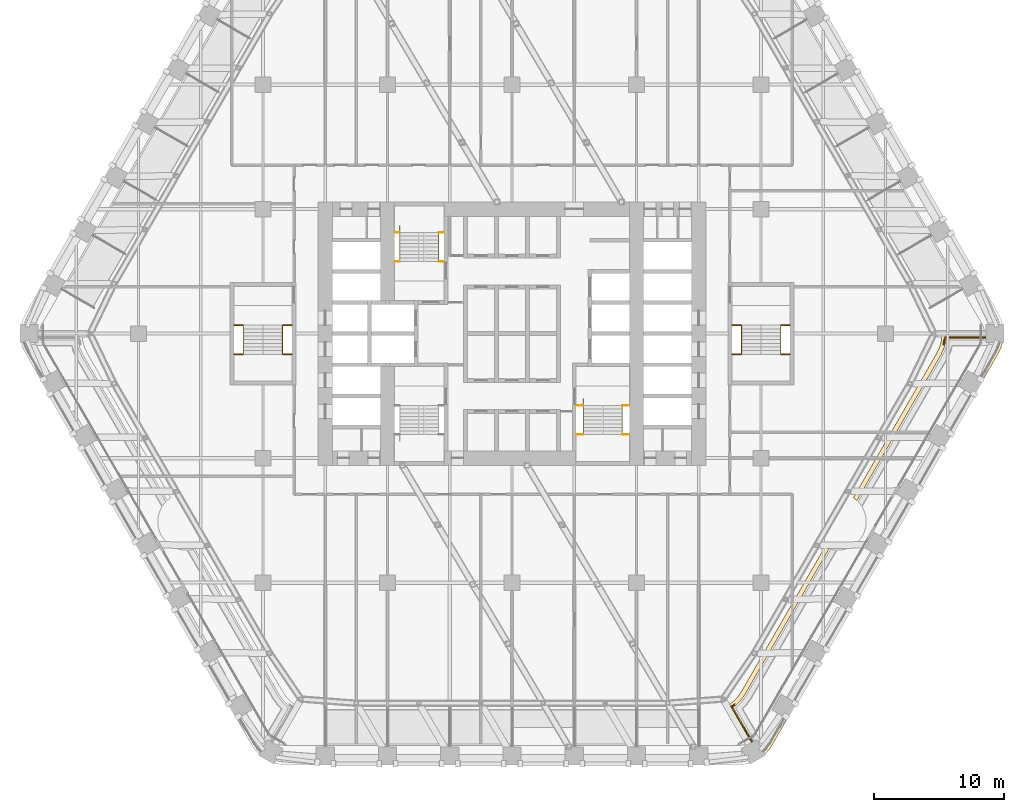
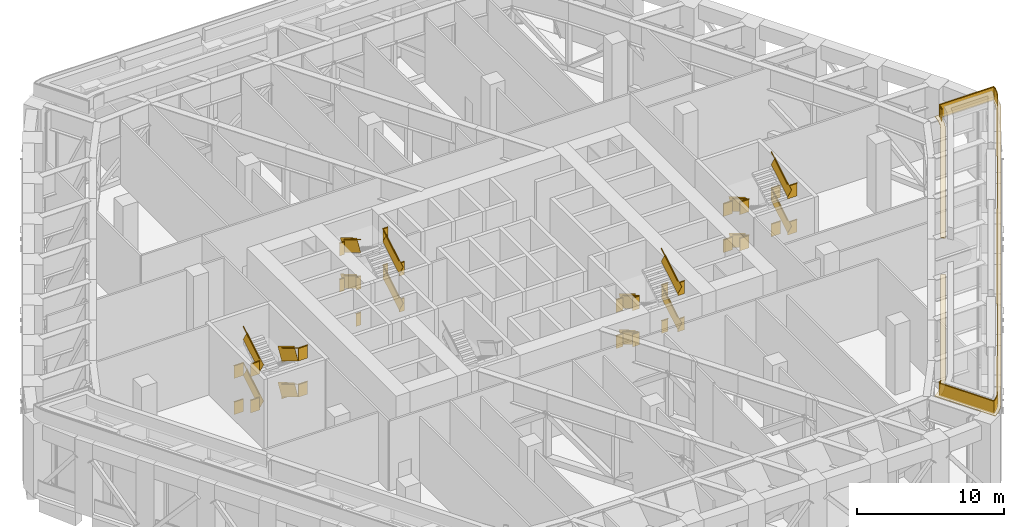
# One storey, part 33 of 35: 9 railings, 1 covering.
"""IFC4 building model written with IfcOpenShell, lengths in metres."""

from ifc_helpers import new_model, si_unit, direction, frame, frame_2d, origin, origin_2d, place, context, subcontext, project, spatial, polyline, rectangle, outline, extrude, material, layer, layer_set, type_object, element, save


model = new_model("IFC4")

# Units and contexts
model_context = context("Model", 3, precision=1e-05, world=origin(), true_north=direction((0.0, 1.0)))
body_context = subcontext(model_context, "Body", "Model", "MODEL_VIEW")
ifc_project = project(units=[si_unit("LENGTHUNIT", "METRE"), si_unit("AREAUNIT", "SQUARE_METRE"), si_unit("VOLUMEUNIT", "CUBIC_METRE"), si_unit("PLANEANGLEUNIT", "RADIAN"), si_unit("MASSUNIT", "GRAM", prefix="KILO")], contexts=[model_context])

# Site, building, storey
site_placement = place(None, origin())
site = spatial("IfcSite", under=ifc_project, at=site_placement, CompositionType="ELEMENT")
building_placement = place(site_placement, origin())
building = spatial("IfcBuilding", under=site, at=building_placement, Name="Kolab Exchange Tower", CompositionType="ELEMENT")
storey_placement = place(building_placement, frame((0.0, 0.0, 71.89990234375)))
storey = spatial("IfcBuildingStorey", under=building, at=storey_placement, Name="L13", CompositionType="ELEMENT", Elevation=71.89990234375)

# Railings
ifc_material_1 = material(Name="Stainless steel 316", Category="steel")
railing_type_1 = type_object("IfcRailingType", Name="GUARD 1100", PredefinedType="GUARDRAIL", material=ifc_material_1)
railing_1_placement = place(storey_placement, frame((-9.050048828125, 5.550048828125, 0.0)))
element("IfcRailing", 1, at=railing_1_placement, inside=storey, type_object=railing_type_1, Name="Guard ST1", PredefinedType="GUARDRAIL", context=body_context, shape_type="SweptSolid", body=[
    extrude(rectangle(XDim=0.05, YDim=0.05, at=origin_2d()), frame((0.0, 0.0, 1.0751953125), z_axis=(1.0, 0.0, 0.0), x_axis=(0.0, 1.0, 0.0)), (0.0, 0.0, 1.0), 0.39013671875),
    extrude(rectangle(XDim=0.012, YDim=1.05009765625, at=frame_2d((0.0, 0.525146484375))), frame((0.0, 0.0, 0.0), z_axis=(1.0, 0.0, 0.0), x_axis=(0.0, 1.0, 0.0)), (0.0, 0.0, 1.0), 0.39013671875),
    extrude(rectangle(XDim=0.05, YDim=0.05, at=origin_2d()), frame((3.41015625, 0.0, 1.0751953125), z_axis=(1.0, 0.0, 0.0), x_axis=(0.0, 1.0, 0.0)), (0.0, 0.0, 1.0), 0.389892578125),
    extrude(rectangle(XDim=0.012, YDim=1.05009765625, at=frame_2d((0.0, 0.525146484375))), frame((3.41015625, 0.0, 0.0), z_axis=(1.0, 0.0, 0.0), x_axis=(0.0, 1.0, 0.0)), (0.0, 0.0, 1.0), 0.389892578125),
    extrude(rectangle(XDim=0.05, YDim=0.05, at=origin_2d()), frame((0.0, 2.239990234375, 2.5751953125), z_axis=(1.0, 0.0, 0.0), x_axis=(0.0, 1.0, 0.0)), (0.0, 0.0, 1.0), 0.39013671875),
    extrude(rectangle(XDim=0.012, YDim=1.05009765625, at=frame_2d((0.0, 0.525146484375))), frame((0.0, 2.239990234375, 1.5), z_axis=(1.0, 0.0, 0.0), x_axis=(0.0, 1.0, 0.0)), (0.0, 0.0, 1.0), 0.39013671875),
    extrude(rectangle(XDim=0.05, YDim=0.05, at=origin_2d()), frame((3.41015625, 2.239990234375, 2.5751953125), z_axis=(1.0, 0.0, 0.0), x_axis=(0.0, 1.0, 0.0)), (0.0, 0.0, 1.0), 0.389892578125),
    extrude(rectangle(XDim=0.012, YDim=1.05009765625, at=frame_2d((0.0, 0.525146484375))), frame((3.41015625, 2.239990234375, 1.5), z_axis=(1.0, 0.0, 0.0), x_axis=(0.0, 1.0, 0.0)), (0.0, 0.0, 1.0), 0.389892578125),
    extrude(rectangle(XDim=0.05, YDim=0.05, at=origin_2d()), frame((0.0, 0.0, 4.0751953125), z_axis=(1.0, 0.0, 0.0), x_axis=(0.0, 1.0, 0.0)), (0.0, 0.0, 1.0), 0.39013671875),
    extrude(rectangle(XDim=0.012, YDim=1.05009765625, at=frame_2d((0.0, 0.525146484375))), frame((0.0, 0.0, 3.0), z_axis=(1.0, 0.0, 0.0), x_axis=(0.0, 1.0, 0.0)), (0.0, 0.0, 1.0), 0.39013671875),
    extrude(rectangle(XDim=0.05, YDim=0.05, at=origin_2d()), frame((3.41015625, 0.0, 4.0751953125), z_axis=(1.0, 0.0, 0.0), x_axis=(0.0, 1.0, 0.0)), (0.0, 0.0, 1.0), 0.389892578125),
    extrude(rectangle(XDim=0.012, YDim=1.05009765625, at=frame_2d((0.0, 0.525146484375))), frame((3.41015625, 0.0, 3.0), z_axis=(1.0, 0.0, 0.0), x_axis=(0.0, 1.0, 0.0)), (0.0, 0.0, 1.0), 0.389892578125),
    extrude(rectangle(XDim=0.05, YDim=0.05, at=origin_2d()), frame((0.0, 2.239990234375, 5.5751953125), z_axis=(1.0, 0.0, 0.0), x_axis=(0.0, 1.0, 0.0)), (0.0, 0.0, 1.0), 0.39013671875),
    extrude(rectangle(XDim=0.012, YDim=1.05009765625, at=frame_2d((0.0, 0.525146484375))), frame((0.0, 2.239990234375, 4.5), z_axis=(1.0, 0.0, 0.0), x_axis=(0.0, 1.0, 0.0)), (0.0, 0.0, 1.0), 0.39013671875),
    extrude(rectangle(XDim=0.05, YDim=0.05, at=origin_2d()), frame((3.41015625, 2.239990234375, 5.5751953125), z_axis=(1.0, 0.0, 0.0), x_axis=(0.0, 1.0, 0.0)), (0.0, 0.0, 1.0), 0.389892578125),
    extrude(rectangle(XDim=0.012, YDim=1.05009765625, at=frame_2d((0.0, 0.525146484375))), frame((3.41015625, 2.239990234375, 4.5), z_axis=(1.0, 0.0, 0.0), x_axis=(0.0, 1.0, 0.0)), (0.0, 0.0, 1.0), 0.389892578125),
])
railing_2_placement = place(storey_placement, frame((-5.639892578125, 5.550048828125, 0.166748046875)))
element("IfcRailing", 2, at=railing_2_placement, inside=storey, type_object=railing_type_1, Name="Handrail guard ST1", PredefinedType="GUARDRAIL", context=body_context, shape_type="SweptSolid", body=[
    extrude(rectangle(XDim=0.05, YDim=0.05, at=origin_2d()), frame((0.0, 0.0, 1.0751953125), z_axis=(0.0, 0.859305625298, 0.511462454469), x_axis=(-1.0, 0.0, 0.0)), (0.0, 0.0, 1.0), 2.606689453125),
    extrude(rectangle(XDim=0.012, YDim=1.05009765625, at=frame_2d((0.0, 0.525146484375))), frame((0.0, 0.0, 0.0), z_axis=(0.0, 0.859305625298, 0.511462454469), x_axis=(-1.0, 0.0, 0.0)), (0.0, 0.0, 1.0), 2.606689453125),
    extrude(rectangle(XDim=0.05, YDim=0.05, at=origin_2d()), frame((-3.02001953125, 2.239990234375, 2.5751953125), z_axis=(0.0, -0.859305625298, 0.511462454469), x_axis=(1.0, 0.0, 0.0)), (0.0, 0.0, 1.0), 2.606689453125),
    extrude(rectangle(XDim=0.012, YDim=1.05009765625, at=frame_2d((0.0, 0.525146484375))), frame((-3.02001953125, 2.239990234375, 1.5), z_axis=(0.0, -0.859305625298, 0.511462454469), x_axis=(1.0, 0.0, 0.0)), (0.0, 0.0, 1.0), 2.606689453125),
    extrude(rectangle(XDim=0.05, YDim=0.05, at=origin_2d()), frame((0.0, 0.0, 4.0751953125), z_axis=(0.0, 0.859305625298, 0.511462454469), x_axis=(-1.0, 0.0, 0.0)), (0.0, 0.0, 1.0), 2.606689453125),
    extrude(rectangle(XDim=0.012, YDim=1.05009765625, at=frame_2d((0.0, 0.525146484375))), frame((0.0, 0.0, 3.0), z_axis=(0.0, 0.859305625298, 0.511462454469), x_axis=(-1.0, 0.0, 0.0)), (0.0, 0.0, 1.0), 2.606689453125),
    extrude(rectangle(XDim=0.05, YDim=0.05, at=origin_2d()), frame((-3.02001953125, 2.239990234375, 5.5751953125), z_axis=(0.0, -0.859305625298, 0.511462454469), x_axis=(1.0, 0.0, 0.0)), (0.0, 0.0, 1.0), 2.606689453125),
    extrude(rectangle(XDim=0.012, YDim=1.05009765625, at=frame_2d((0.0, 0.525146484375))), frame((-3.02001953125, 2.239990234375, 4.5), z_axis=(0.0, -0.859305625298, 0.511462454469), x_axis=(1.0, 0.0, 0.0)), (0.0, 0.0, 1.0), 2.606689453125),
])
railing_3_placement = place(storey_placement, frame((4.949951171875, -5.550048828125, 0.0)))
element("IfcRailing", 3, at=railing_3_placement, inside=storey, type_object=railing_type_1, Name="Guard ST2", PredefinedType="GUARDRAIL", context=body_context, shape_type="SweptSolid", body=[
    extrude(rectangle(XDim=0.05, YDim=0.05, at=origin_2d()), frame((0.0, 0.0, 1.0751953125), z_axis=(1.0, 0.0, 0.0), x_axis=(0.0, 1.0, 0.0)), (0.0, 0.0, 1.0), 0.5400390625),
    extrude(rectangle(XDim=0.012, YDim=1.05009765625, at=frame_2d((0.0, 0.525146484375))), frame((0.0, 0.0, 0.0), z_axis=(1.0, 0.0, 0.0), x_axis=(0.0, 1.0, 0.0)), (0.0, 0.0, 1.0), 0.5400390625),
    extrude(rectangle(XDim=0.05, YDim=0.05, at=origin_2d()), frame((3.56005859375, 0.0, 1.0751953125), z_axis=(1.0, 0.0, 0.0), x_axis=(0.0, 1.0, 0.0)), (0.0, 0.0, 1.0), 0.5400390625),
    extrude(rectangle(XDim=0.012, YDim=1.05009765625, at=frame_2d((0.0, 0.525146484375))), frame((3.56005859375, 0.0, 0.0), z_axis=(1.0, 0.0, 0.0), x_axis=(0.0, 1.0, 0.0)), (0.0, 0.0, 1.0), 0.5400390625),
    extrude(rectangle(XDim=0.05, YDim=0.05, at=origin_2d()), frame((0.0, -2.239990234375, 2.5751953125), z_axis=(1.0, 0.0, 0.0), x_axis=(0.0, 1.0, 0.0)), (0.0, 0.0, 1.0), 0.5400390625),
    extrude(rectangle(XDim=0.012, YDim=1.05009765625, at=frame_2d((0.0, 0.525146484375))), frame((0.0, -2.239990234375, 1.5), z_axis=(1.0, 0.0, 0.0), x_axis=(0.0, 1.0, 0.0)), (0.0, 0.0, 1.0), 0.5400390625),
    extrude(rectangle(XDim=0.05, YDim=0.05, at=origin_2d()), frame((3.56005859375, -2.239990234375, 2.5751953125), z_axis=(1.0, 0.0, 0.0), x_axis=(0.0, 1.0, 0.0)), (0.0, 0.0, 1.0), 0.5400390625),
    extrude(rectangle(XDim=0.012, YDim=1.05009765625, at=frame_2d((0.0, 0.525146484375))), frame((3.56005859375, -2.239990234375, 1.5), z_axis=(1.0, 0.0, 0.0), x_axis=(0.0, 1.0, 0.0)), (0.0, 0.0, 1.0), 0.5400390625),
    extrude(rectangle(XDim=0.05, YDim=0.05, at=origin_2d()), frame((0.0, 0.0, 4.0751953125), z_axis=(1.0, 0.0, 0.0), x_axis=(0.0, 1.0, 0.0)), (0.0, 0.0, 1.0), 0.5400390625),
    extrude(rectangle(XDim=0.012, YDim=1.05009765625, at=frame_2d((0.0, 0.525146484375))), frame((0.0, 0.0, 3.0), z_axis=(1.0, 0.0, 0.0), x_axis=(0.0, 1.0, 0.0)), (0.0, 0.0, 1.0), 0.5400390625),
    extrude(rectangle(XDim=0.05, YDim=0.05, at=origin_2d()), frame((3.56005859375, 0.0, 4.0751953125), z_axis=(1.0, 0.0, 0.0), x_axis=(0.0, 1.0, 0.0)), (0.0, 0.0, 1.0), 0.5400390625),
    extrude(rectangle(XDim=0.012, YDim=1.05009765625, at=frame_2d((0.0, 0.525146484375))), frame((3.56005859375, 0.0, 3.0), z_axis=(1.0, 0.0, 0.0), x_axis=(0.0, 1.0, 0.0)), (0.0, 0.0, 1.0), 0.5400390625),
    extrude(rectangle(XDim=0.05, YDim=0.05, at=origin_2d()), frame((0.0, -2.239990234375, 5.5751953125), z_axis=(1.0, 0.0, 0.0), x_axis=(0.0, 1.0, 0.0)), (0.0, 0.0, 1.0), 0.5400390625),
    extrude(rectangle(XDim=0.012, YDim=1.05009765625, at=frame_2d((0.0, 0.525146484375))), frame((0.0, -2.239990234375, 4.5), z_axis=(1.0, 0.0, 0.0), x_axis=(0.0, 1.0, 0.0)), (0.0, 0.0, 1.0), 0.5400390625),
    extrude(rectangle(XDim=0.05, YDim=0.05, at=origin_2d()), frame((3.56005859375, -2.239990234375, 5.5751953125), z_axis=(1.0, 0.0, 0.0), x_axis=(0.0, 1.0, 0.0)), (0.0, 0.0, 1.0), 0.5400390625),
    extrude(rectangle(XDim=0.012, YDim=1.05009765625, at=frame_2d((0.0, 0.525146484375))), frame((3.56005859375, -2.239990234375, 4.5), z_axis=(1.0, 0.0, 0.0), x_axis=(0.0, 1.0, 0.0)), (0.0, 0.0, 1.0), 0.5400390625),
])
railing_4_placement = place(storey_placement, frame((5.489990234375, -5.550048828125, 0.166748046875)))
element("IfcRailing", 4, at=railing_4_placement, inside=storey, type_object=railing_type_1, Name="Handrail guard ST2", PredefinedType="GUARDRAIL", context=body_context, shape_type="SweptSolid", body=[
    extrude(rectangle(XDim=0.05, YDim=0.05, at=origin_2d()), frame((0.0, 0.0, 1.0751953125), z_axis=(0.0, -0.859305625298, 0.511462454469), x_axis=(1.0, 0.0, 0.0)), (0.0, 0.0, 1.0), 2.606689453125),
    extrude(rectangle(XDim=0.012, YDim=1.05009765625, at=frame_2d((0.0, 0.525146484375))), frame((0.0, 0.0, 0.0), z_axis=(0.0, -0.859305625298, 0.511462454469), x_axis=(1.0, 0.0, 0.0)), (0.0, 0.0, 1.0), 2.606689453125),
    extrude(rectangle(XDim=0.05, YDim=0.05, at=origin_2d()), frame((3.02001953125, -2.239990234375, 2.5751953125), z_axis=(0.0, 0.859305625298, 0.511462454469), x_axis=(-1.0, 0.0, 0.0)), (0.0, 0.0, 1.0), 2.606689453125),
    extrude(rectangle(XDim=0.012, YDim=1.05009765625, at=frame_2d((0.0, 0.525146484375))), frame((3.02001953125, -2.239990234375, 1.5), z_axis=(0.0, 0.859305625298, 0.511462454469), x_axis=(-1.0, 0.0, 0.0)), (0.0, 0.0, 1.0), 2.606689453125),
    extrude(rectangle(XDim=0.05, YDim=0.05, at=origin_2d()), frame((0.0, 0.0, 4.0751953125), z_axis=(0.0, -0.859305625298, 0.511462454469), x_axis=(1.0, 0.0, 0.0)), (0.0, 0.0, 1.0), 2.606689453125),
    extrude(rectangle(XDim=0.012, YDim=1.05009765625, at=frame_2d((0.0, 0.525146484375))), frame((0.0, 0.0, 3.0), z_axis=(0.0, -0.859305625298, 0.511462454469), x_axis=(1.0, 0.0, 0.0)), (0.0, 0.0, 1.0), 2.606689453125),
    extrude(rectangle(XDim=0.05, YDim=0.05, at=origin_2d()), frame((3.02001953125, -2.239990234375, 5.5751953125), z_axis=(0.0, 0.859305625298, 0.511462454469), x_axis=(-1.0, 0.0, 0.0)), (0.0, 0.0, 1.0), 2.606689453125),
    extrude(rectangle(XDim=0.012, YDim=1.05009765625, at=frame_2d((0.0, 0.525146484375))), frame((3.02001953125, -2.239990234375, 4.5), z_axis=(0.0, 0.859305625298, 0.511462454469), x_axis=(-1.0, 0.0, 0.0)), (0.0, 0.0, 1.0), 2.606689453125),
])
railing_5_placement = place(storey_placement, frame((16.949951171875, 0.64990234375, 0.0)))
element("IfcRailing", 5, at=railing_5_placement, inside=storey, type_object=railing_type_1, Name="Guard ST4", PredefinedType="GUARDRAIL", context=body_context, shape_type="SweptSolid", body=[
    extrude(rectangle(XDim=0.05, YDim=0.05, at=origin_2d()), frame((0.0, 0.0, 1.0751953125), z_axis=(1.0, 0.0, 0.0), x_axis=(0.0, 1.0, 0.0)), (0.0, 0.0, 1.0), 0.739990234375),
    extrude(rectangle(XDim=0.012, YDim=1.05009765625, at=frame_2d((0.0, 0.525146484375))), frame((0.0, 0.0, 0.0), z_axis=(1.0, 0.0, 0.0), x_axis=(0.0, 1.0, 0.0)), (0.0, 0.0, 1.0), 0.739990234375),
    extrude(rectangle(XDim=0.05, YDim=0.05, at=origin_2d()), frame((3.760009765625, 0.0, 1.0751953125), z_axis=(1.0, 0.0, 0.0), x_axis=(0.0, 1.0, 0.0)), (0.0, 0.0, 1.0), 0.739990234375),
    extrude(rectangle(XDim=0.012, YDim=1.05009765625, at=frame_2d((0.0, 0.525146484375))), frame((3.760009765625, 0.0, 0.0), z_axis=(1.0, 0.0, 0.0), x_axis=(0.0, 1.0, 0.0)), (0.0, 0.0, 1.0), 0.739990234375),
    extrude(rectangle(XDim=0.05, YDim=0.05, at=origin_2d()), frame((0.0, -2.239990234375, 2.5751953125), z_axis=(1.0, 0.0, 0.0), x_axis=(0.0, 1.0, 0.0)), (0.0, 0.0, 1.0), 0.739990234375),
    extrude(rectangle(XDim=0.012, YDim=1.05009765625, at=frame_2d((0.0, 0.525146484375))), frame((0.0, -2.239990234375, 1.5), z_axis=(1.0, 0.0, 0.0), x_axis=(0.0, 1.0, 0.0)), (0.0, 0.0, 1.0), 0.739990234375),
    extrude(rectangle(XDim=0.05, YDim=0.05, at=origin_2d()), frame((3.760009765625, -2.239990234375, 2.5751953125), z_axis=(1.0, 0.0, 0.0), x_axis=(0.0, 1.0, 0.0)), (0.0, 0.0, 1.0), 0.739990234375),
    extrude(rectangle(XDim=0.012, YDim=1.05009765625, at=frame_2d((0.0, 0.525146484375))), frame((3.760009765625, -2.239990234375, 1.5), z_axis=(1.0, 0.0, 0.0), x_axis=(0.0, 1.0, 0.0)), (0.0, 0.0, 1.0), 0.739990234375),
    extrude(rectangle(XDim=0.05, YDim=0.05, at=origin_2d()), frame((0.0, 0.0, 4.0751953125), z_axis=(1.0, 0.0, 0.0), x_axis=(0.0, 1.0, 0.0)), (0.0, 0.0, 1.0), 0.739990234375),
    extrude(rectangle(XDim=0.012, YDim=1.05009765625, at=frame_2d((0.0, 0.525146484375))), frame((0.0, 0.0, 3.0), z_axis=(1.0, 0.0, 0.0), x_axis=(0.0, 1.0, 0.0)), (0.0, 0.0, 1.0), 0.739990234375),
    extrude(rectangle(XDim=0.05, YDim=0.05, at=origin_2d()), frame((3.760009765625, 0.0, 4.0751953125), z_axis=(1.0, 0.0, 0.0), x_axis=(0.0, 1.0, 0.0)), (0.0, 0.0, 1.0), 0.739990234375),
    extrude(rectangle(XDim=0.012, YDim=1.05009765625, at=frame_2d((0.0, 0.525146484375))), frame((3.760009765625, 0.0, 3.0), z_axis=(1.0, 0.0, 0.0), x_axis=(0.0, 1.0, 0.0)), (0.0, 0.0, 1.0), 0.739990234375),
    extrude(rectangle(XDim=0.05, YDim=0.05, at=origin_2d()), frame((0.0, -2.239990234375, 5.5751953125), z_axis=(1.0, 0.0, 0.0), x_axis=(0.0, 1.0, 0.0)), (0.0, 0.0, 1.0), 0.739990234375),
    extrude(rectangle(XDim=0.012, YDim=1.05009765625, at=frame_2d((0.0, 0.525146484375))), frame((0.0, -2.239990234375, 4.5), z_axis=(1.0, 0.0, 0.0), x_axis=(0.0, 1.0, 0.0)), (0.0, 0.0, 1.0), 0.739990234375),
    extrude(rectangle(XDim=0.05, YDim=0.05, at=origin_2d()), frame((3.760009765625, -2.239990234375, 5.5751953125), z_axis=(1.0, 0.0, 0.0), x_axis=(0.0, 1.0, 0.0)), (0.0, 0.0, 1.0), 0.739990234375),
    extrude(rectangle(XDim=0.012, YDim=1.05009765625, at=frame_2d((0.0, 0.525146484375))), frame((3.760009765625, -2.239990234375, 4.5), z_axis=(1.0, 0.0, 0.0), x_axis=(0.0, 1.0, 0.0)), (0.0, 0.0, 1.0), 0.739990234375),
])
railing_6_placement = place(storey_placement, frame((17.68994140625, 0.64990234375, 0.166748046875)))
element("IfcRailing", 6, at=railing_6_placement, inside=storey, type_object=railing_type_1, Name="Handrail guard ST4", PredefinedType="GUARDRAIL", context=body_context, shape_type="SweptSolid", body=[
    extrude(rectangle(XDim=0.05, YDim=0.05, at=origin_2d()), frame((0.0, 0.0, 1.0751953125), z_axis=(0.0, -0.859305625298, 0.511462454469), x_axis=(1.0, 0.0, 0.0)), (0.0, 0.0, 1.0), 2.606689453125),
    extrude(rectangle(XDim=0.012, YDim=1.05009765625, at=frame_2d((0.0, 0.525146484375))), frame((0.0, 0.0, 0.0), z_axis=(0.0, -0.859305625298, 0.511462454469), x_axis=(1.0, 0.0, 0.0)), (0.0, 0.0, 1.0), 2.606689453125),
    extrude(rectangle(XDim=0.05, YDim=0.05, at=origin_2d()), frame((3.02001953125, -2.239990234375, 2.5751953125), z_axis=(0.0, 0.859305625298, 0.511462454469), x_axis=(-1.0, 0.0, 0.0)), (0.0, 0.0, 1.0), 2.606689453125),
    extrude(rectangle(XDim=0.012, YDim=1.05009765625, at=frame_2d((0.0, 0.525146484375))), frame((3.02001953125, -2.239990234375, 1.5), z_axis=(0.0, 0.859305625298, 0.511462454469), x_axis=(-1.0, 0.0, 0.0)), (0.0, 0.0, 1.0), 2.606689453125),
    extrude(rectangle(XDim=0.05, YDim=0.05, at=origin_2d()), frame((0.0, 0.0, 4.0751953125), z_axis=(0.0, -0.859305625298, 0.511462454469), x_axis=(1.0, 0.0, 0.0)), (0.0, 0.0, 1.0), 2.606689453125),
    extrude(rectangle(XDim=0.012, YDim=1.05009765625, at=frame_2d((0.0, 0.525146484375))), frame((0.0, 0.0, 3.0), z_axis=(0.0, -0.859305625298, 0.511462454469), x_axis=(1.0, 0.0, 0.0)), (0.0, 0.0, 1.0), 2.606689453125),
    extrude(rectangle(XDim=0.05, YDim=0.05, at=origin_2d()), frame((3.02001953125, -2.239990234375, 5.5751953125), z_axis=(0.0, 0.859305625298, 0.511462454469), x_axis=(-1.0, 0.0, 0.0)), (0.0, 0.0, 1.0), 2.606689453125),
    extrude(rectangle(XDim=0.012, YDim=1.05009765625, at=frame_2d((0.0, 0.525146484375))), frame((3.02001953125, -2.239990234375, 4.5), z_axis=(0.0, 0.859305625298, 0.511462454469), x_axis=(-1.0, 0.0, 0.0)), (0.0, 0.0, 1.0), 2.606689453125),
])
railing_7_placement = place(storey_placement, frame((-21.449951171875, 0.64990234375, 0.0)))
element("IfcRailing", 7, at=railing_7_placement, inside=storey, type_object=railing_type_1, Name="Guard ST5", PredefinedType="GUARDRAIL", context=body_context, shape_type="SweptSolid", body=[
    extrude(rectangle(XDim=0.05, YDim=0.05, at=origin_2d()), frame((0.0, 0.0, 1.0751953125), z_axis=(1.0, 0.0, 0.0), x_axis=(0.0, 1.0, 0.0)), (0.0, 0.0, 1.0), 0.739990234375),
    extrude(rectangle(XDim=0.012, YDim=1.05009765625, at=frame_2d((0.0, 0.525146484375))), frame((0.0, 0.0, 0.0), z_axis=(1.0, 0.0, 0.0), x_axis=(0.0, 1.0, 0.0)), (0.0, 0.0, 1.0), 0.739990234375),
    extrude(rectangle(XDim=0.05, YDim=0.05, at=origin_2d()), frame((3.760009765625, 0.0, 1.0751953125), z_axis=(1.0, 0.0, 0.0), x_axis=(0.0, 1.0, 0.0)), (0.0, 0.0, 1.0), 0.739990234375),
    extrude(rectangle(XDim=0.012, YDim=1.05009765625, at=frame_2d((0.0, 0.525146484375))), frame((3.760009765625, 0.0, 0.0), z_axis=(1.0, 0.0, 0.0), x_axis=(0.0, 1.0, 0.0)), (0.0, 0.0, 1.0), 0.739990234375),
    extrude(rectangle(XDim=0.05, YDim=0.05, at=origin_2d()), frame((0.0, -2.239990234375, 2.5751953125), z_axis=(1.0, 0.0, 0.0), x_axis=(0.0, 1.0, 0.0)), (0.0, 0.0, 1.0), 0.739990234375),
    extrude(rectangle(XDim=0.012, YDim=1.05009765625, at=frame_2d((0.0, 0.525146484375))), frame((0.0, -2.239990234375, 1.5), z_axis=(1.0, 0.0, 0.0), x_axis=(0.0, 1.0, 0.0)), (0.0, 0.0, 1.0), 0.739990234375),
    extrude(rectangle(XDim=0.05, YDim=0.05, at=origin_2d()), frame((3.760009765625, -2.239990234375, 2.5751953125), z_axis=(1.0, 0.0, 0.0), x_axis=(0.0, 1.0, 0.0)), (0.0, 0.0, 1.0), 0.739990234375),
    extrude(rectangle(XDim=0.012, YDim=1.05009765625, at=frame_2d((0.0, 0.525146484375))), frame((3.760009765625, -2.239990234375, 1.5), z_axis=(1.0, 0.0, 0.0), x_axis=(0.0, 1.0, 0.0)), (0.0, 0.0, 1.0), 0.739990234375),
    extrude(rectangle(XDim=0.05, YDim=0.05, at=origin_2d()), frame((0.0, 0.0, 4.0751953125), z_axis=(1.0, 0.0, 0.0), x_axis=(0.0, 1.0, 0.0)), (0.0, 0.0, 1.0), 0.739990234375),
    extrude(rectangle(XDim=0.012, YDim=1.05009765625, at=frame_2d((0.0, 0.525146484375))), frame((0.0, 0.0, 3.0), z_axis=(1.0, 0.0, 0.0), x_axis=(0.0, 1.0, 0.0)), (0.0, 0.0, 1.0), 0.739990234375),
    extrude(rectangle(XDim=0.05, YDim=0.05, at=origin_2d()), frame((3.760009765625, 0.0, 4.0751953125), z_axis=(1.0, 0.0, 0.0), x_axis=(0.0, 1.0, 0.0)), (0.0, 0.0, 1.0), 0.739990234375),
    extrude(rectangle(XDim=0.012, YDim=1.05009765625, at=frame_2d((0.0, 0.525146484375))), frame((3.760009765625, 0.0, 3.0), z_axis=(1.0, 0.0, 0.0), x_axis=(0.0, 1.0, 0.0)), (0.0, 0.0, 1.0), 0.739990234375),
    extrude(rectangle(XDim=0.05, YDim=0.05, at=origin_2d()), frame((0.0, -2.239990234375, 5.5751953125), z_axis=(1.0, 0.0, 0.0), x_axis=(0.0, 1.0, 0.0)), (0.0, 0.0, 1.0), 0.739990234375),
    extrude(rectangle(XDim=0.012, YDim=1.05009765625, at=frame_2d((0.0, 0.525146484375))), frame((0.0, -2.239990234375, 4.5), z_axis=(1.0, 0.0, 0.0), x_axis=(0.0, 1.0, 0.0)), (0.0, 0.0, 1.0), 0.739990234375),
    extrude(rectangle(XDim=0.05, YDim=0.05, at=origin_2d()), frame((3.760009765625, -2.239990234375, 5.5751953125), z_axis=(1.0, 0.0, 0.0), x_axis=(0.0, 1.0, 0.0)), (0.0, 0.0, 1.0), 0.739990234375),
    extrude(rectangle(XDim=0.012, YDim=1.05009765625, at=frame_2d((0.0, 0.525146484375))), frame((3.760009765625, -2.239990234375, 4.5), z_axis=(1.0, 0.0, 0.0), x_axis=(0.0, 1.0, 0.0)), (0.0, 0.0, 1.0), 0.739990234375),
])
railing_8_placement = place(storey_placement, frame((-17.68994140625, 0.64990234375, 0.166748046875)))
element("IfcRailing", 8, at=railing_8_placement, inside=storey, type_object=railing_type_1, Name="Handrail guard ST5", PredefinedType="GUARDRAIL", context=body_context, shape_type="SweptSolid", body=[
    extrude(rectangle(XDim=0.05, YDim=0.05, at=origin_2d()), frame((0.0, 0.0, 1.0751953125), z_axis=(0.0, -0.859305625298, 0.511462454469), x_axis=(1.0, 0.0, 0.0)), (0.0, 0.0, 1.0), 2.606689453125),
    extrude(rectangle(XDim=0.012, YDim=1.05009765625, at=frame_2d((0.0, 0.525146484375))), frame((0.0, 0.0, 0.0), z_axis=(0.0, -0.859305625298, 0.511462454469), x_axis=(1.0, 0.0, 0.0)), (0.0, 0.0, 1.0), 2.606689453125),
    extrude(rectangle(XDim=0.05, YDim=0.05, at=origin_2d()), frame((-3.02001953125, -2.239990234375, 2.5751953125), z_axis=(0.0, 0.859305625298, 0.511462454469), x_axis=(-1.0, 0.0, 0.0)), (0.0, 0.0, 1.0), 2.606689453125),
    extrude(rectangle(XDim=0.012, YDim=1.05009765625, at=frame_2d((0.0, 0.525146484375))), frame((-3.02001953125, -2.239990234375, 1.5), z_axis=(0.0, 0.859305625298, 0.511462454469), x_axis=(-1.0, 0.0, 0.0)), (0.0, 0.0, 1.0), 2.606689453125),
    extrude(rectangle(XDim=0.05, YDim=0.05, at=origin_2d()), frame((0.0, 0.0, 4.0751953125), z_axis=(0.0, -0.859305625298, 0.511462454469), x_axis=(1.0, 0.0, 0.0)), (0.0, 0.0, 1.0), 2.606689453125),
    extrude(rectangle(XDim=0.012, YDim=1.05009765625, at=frame_2d((0.0, 0.525146484375))), frame((0.0, 0.0, 3.0), z_axis=(0.0, -0.859305625298, 0.511462454469), x_axis=(1.0, 0.0, 0.0)), (0.0, 0.0, 1.0), 2.606689453125),
    extrude(rectangle(XDim=0.05, YDim=0.05, at=origin_2d()), frame((-3.02001953125, -2.239990234375, 5.5751953125), z_axis=(0.0, 0.859305625298, 0.511462454469), x_axis=(-1.0, 0.0, 0.0)), (0.0, 0.0, 1.0), 2.606689453125),
    extrude(rectangle(XDim=0.012, YDim=1.05009765625, at=frame_2d((0.0, 0.525146484375))), frame((-3.02001953125, -2.239990234375, 4.5), z_axis=(0.0, 0.859305625298, 0.511462454469), x_axis=(-1.0, 0.0, 0.0)), (0.0, 0.0, 1.0), 2.606689453125),
])
ifc_material_2 = material(Name="Steel S235", Category="steel")
railing_type_2 = type_object("IfcRailingType", Name="GUARD 1100 GLASS BALUSTRADE AND STEEL TOP RAIL", PredefinedType="GUARDRAIL", material=ifc_material_2)
railing_9_placement = place(storey_placement, frame((19.85498046875, -31.620849609375, 6.0)))
element("IfcRailing", 9, at=railing_9_placement, inside=storey, type_object=railing_type_2, Name="Ledge guard", PredefinedType="GUARDRAIL", context=body_context, shape_type="SweptSolid", body=[
    extrude(rectangle(XDim=0.05, YDim=0.05, at=origin_2d()), frame((13.4091796875, 30.783203125, 1.0751953125), z_axis=(0.200015205066, 0.979792793269, 0.0), x_axis=(-0.979792793269, 0.200015205066, 0.0)), (0.0, 0.0, 1.0), 0.433349609375),
    extrude(rectangle(XDim=0.012, YDim=1.05009765625, at=frame_2d((0.0, 0.525146484375))), frame((13.4091796875, 30.783203125, 0.0), z_axis=(0.200015205066, 0.979792793269, 0.0), x_axis=(-0.979792793269, 0.200015205066, 0.0)), (0.0, 0.0, 1.0), 0.433349609375),
    extrude(rectangle(XDim=0.05, YDim=0.05, at=origin_2d()), frame((13.510009765625, 31.370849609375, 1.0751953125), z_axis=(1.0, 0.0, 0.0), x_axis=(0.0, 1.0, 0.0)), (0.0, 0.0, 1.0), 4.298095703125),
    extrude(rectangle(XDim=0.012, YDim=1.05009765625, at=frame_2d((0.0, 0.525146484375))), frame((13.510009765625, 31.370849609375, 0.0), z_axis=(1.0, 0.0, 0.0), x_axis=(0.0, 1.0, 0.0)), (0.0, 0.0, 1.0), 4.298095703125),
    extrude(rectangle(XDim=0.05, YDim=0.05, at=origin_2d()), frame((17.80810546875, 31.370849609375, 1.0751953125), z_axis=(-0.087737676013, -0.996143614248, 0.0), x_axis=(0.996143614248, -0.087737676013, 0.0)), (0.0, 0.0, 1.0), 0.228271484375),
    extrude(rectangle(XDim=0.012, YDim=1.05009765625, at=frame_2d((0.0, 0.525146484375))), frame((17.80810546875, 31.370849609375, 0.0), z_axis=(-0.087737676013, -0.996143614248, 0.0), x_axis=(0.996143614248, -0.087737676013, 0.0)), (0.0, 0.0, 1.0), 0.228271484375),
    extrude(rectangle(XDim=0.05, YDim=0.05, at=origin_2d()), frame((17.7880859375, 31.1435546875, 1.0751953125), z_axis=(-0.258803991931, -0.965929859648, 0.0), x_axis=(0.965929859648, -0.258803991931, 0.0)), (0.0, 0.0, 1.0), 0.479248046875),
    extrude(rectangle(XDim=0.012, YDim=1.05009765625, at=frame_2d((0.0, 0.525146484375))), frame((17.7880859375, 31.1435546875, 0.0), z_axis=(-0.258803991931, -0.965929859648, 0.0), x_axis=(0.965929859648, -0.258803991931, 0.0)), (0.0, 0.0, 1.0), 0.479248046875),
    extrude(rectangle(XDim=0.05, YDim=0.05, at=origin_2d()), frame((17.6640625, 30.6806640625, 1.0751953125), z_axis=(-0.422340086698, -0.906437450224, 0.0), x_axis=(0.906437450224, -0.422340086698, 0.0)), (0.0, 0.0, 1.0), 0.490234375),
    extrude(rectangle(XDim=0.012, YDim=1.05009765625, at=frame_2d((0.0, 0.525146484375))), frame((17.6640625, 30.6806640625, 0.0), z_axis=(-0.422340086698, -0.906437450224, 0.0), x_axis=(0.906437450224, -0.422340086698, 0.0)), (0.0, 0.0, 1.0), 0.490234375),
    extrude(rectangle(XDim=0.05, YDim=0.05, at=origin_2d()), frame((17.45703125, 30.236328125, 1.0751953125), z_axis=(-0.500001698484, -0.866024423162, 0.0), x_axis=(0.866024423162, -0.500001698484, 0.0)), (0.0, 0.0, 1.0), 34.9140625),
    extrude(rectangle(XDim=0.012, YDim=1.05009765625, at=frame_2d((0.0, 0.525146484375))), frame((17.45703125, 30.236328125, 0.0), z_axis=(-0.500001698484, -0.866024423162, 0.0), x_axis=(0.866024423162, -0.500001698484, 0.0)), (0.0, 0.0, 1.0), 34.9140625),
    extrude(rectangle(XDim=0.05, YDim=0.05, at=origin_2d()), frame((0.0, 0.0, 1.0751953125), z_axis=(-0.573629427137, -0.819114937187, 0.0), x_axis=(0.819114937187, -0.573629427137, 0.0)), (0.0, 0.0, 1.0), 0.490234375),
    extrude(rectangle(XDim=0.012, YDim=1.05009765625, at=frame_2d((0.0, 0.525146484375))), frame((0.0, 0.0, 0.0), z_axis=(-0.573629427137, -0.819114937187, 0.0), x_axis=(0.819114937187, -0.573629427137, 0.0)), (0.0, 0.0, 1.0), 0.490234375),
    extrude(rectangle(XDim=0.05, YDim=0.05, at=origin_2d()), frame((-0.28125, -0.401611328125, 1.0751953125), z_axis=(-0.706851922036, -0.707361548512, 0.0), x_axis=(0.707361548512, -0.706851922036, 0.0)), (0.0, 0.0, 1.0), 0.47900390625),
    extrude(rectangle(XDim=0.012, YDim=1.05009765625, at=frame_2d((0.0, 0.525146484375))), frame((-0.28125, -0.401611328125, 0.0), z_axis=(-0.706851922036, -0.707361548512, 0.0), x_axis=(0.707361548512, -0.706851922036, 0.0)), (0.0, 0.0, 1.0), 0.47900390625),
    extrude(rectangle(XDim=0.05, YDim=0.05, at=origin_2d()), frame((-0.619873046875, -0.740478515625, 1.0751953125), z_axis=(-0.819332409574, -0.573318761791, 0.0), x_axis=(0.573318761791, -0.819332409574, 0.0)), (0.0, 0.0, 1.0), 0.228271484375),
    extrude(rectangle(XDim=0.012, YDim=1.05009765625, at=frame_2d((0.0, 0.525146484375))), frame((-0.619873046875, -0.740478515625, 0.0), z_axis=(-0.819332409574, -0.573318761791, 0.0), x_axis=(0.573318761791, -0.819332409574, 0.0)), (0.0, 0.0, 1.0), 0.228271484375),
    extrude(rectangle(XDim=0.05, YDim=0.05, at=origin_2d()), frame((-0.806884765625, -0.871337890625, 1.0751953125), z_axis=(-0.500030579029, 0.866007748254, 0.0), x_axis=(-0.866007748254, -0.500030579029, 0.0)), (0.0, 0.0, 1.0), 4.298095703125),
    extrude(rectangle(XDim=0.012, YDim=1.05009765625, at=frame_2d((0.0, 0.525146484375))), frame((-0.806884765625, -0.871337890625, 0.0), z_axis=(-0.500030579029, 0.866007748254, 0.0), x_axis=(-0.866007748254, -0.500030579029, 0.0)), (0.0, 0.0, 1.0), 4.298095703125),
    extrude(rectangle(XDim=0.05, YDim=0.05, at=origin_2d()), frame((-2.9560546875, 2.850830078125, 1.0751953125), z_axis=(0.812411603037, 0.583084374041, 0.0), x_axis=(-0.583084374041, 0.812411603037, 0.0)), (0.0, 0.0, 1.0), 0.33740234375),
    extrude(rectangle(XDim=0.012, YDim=1.05009765625, at=frame_2d((0.0, 0.525146484375))), frame((-2.9560546875, 2.850830078125, 0.0), z_axis=(0.812411603037, 0.583084374041, 0.0), x_axis=(-0.583084374041, 0.812411603037, 0.0)), (0.0, 0.0, 1.0), 0.33740234375),
])

# Covering
ifc_material_3 = material(Name="Limestone coping", Category="masonry")
ifc_layer = layer(ifc_material_3, 0.050048828125)
ifc_layer_set = layer_set([ifc_layer], Name="Limestone coping")
covering_type = type_object("IfcCoveringType", Name="TERRACE EDGE BAND LIMESTONE 50", PredefinedType="CLADDING", material=ifc_layer_set)
covering_placement = place(storey_placement, frame((0.0, 0.0, 6.0)))
element("IfcCovering", 10, at=covering_placement, inside=storey, type_object=covering_type, Name="Terrace edge band", PredefinedType="CLADDING", context=body_context, shape_type="SweptSolid", body=[
    extrude(outline(polyline([(19.38330078125, -32.5380859375), (18.974365234375, -32.824462890625), (16.594482421875, -28.702392578125), (17.00927734375, -28.411865234375), (17.38134765625, -28.039794921875), (17.682861328125, -27.609130859375), (24.119873046875, -16.4599609375), (24.271484375, -16.53173828125), (24.446533203125, -16.594482421875), (17.978271484375, -27.79736328125), (17.650634765625, -28.265625), (17.235107421875, -28.68115234375), (17.057861328125, -28.80517578125), (19.08642578125, -32.31884765625), (19.157470703125, -32.26904296875), (19.4814453125, -31.945068359375), (19.753662109375, -31.556396484375), (22.499755859375, -26.800048828125), (22.503662109375, -26.79833984375), (22.5380859375, -26.779296875), (22.5703125, -26.7568359375), (22.600341796875, -26.7314453125), (22.62744140625, -26.703369140625), (22.65185546875, -26.672607421875), (22.673095703125, -26.6396484375), (25.673095703125, -21.443359375), (25.691162109375, -21.408447265625), (25.70556640625, -21.3720703125), (25.71630859375, -21.334228515625), (25.723388671875, -21.295654296875), (25.7265625, -21.256591796875), (25.725830078125, -21.21728515625), (25.725341796875, -21.212890625), (31.233642578125, -11.67236328125), (31.23779296875, -11.670654296875), (31.27197265625, -11.651611328125), (31.30419921875, -11.629150390625), (31.334228515625, -11.603759765625), (31.361572265625, -11.57568359375), (31.385986328125, -11.544921875), (31.4072265625, -11.511962890625), (34.4072265625, -6.315673828125), (34.425048828125, -6.28076171875), (34.439453125, -6.244384765625), (34.450439453125, -6.20654296875), (34.457275390625, -6.16796875), (34.46044921875, -6.12890625), (34.4599609375, -6.089599609375), (34.45947265625, -6.085205078125), (37.20556640625, -1.3291015625), (37.406005859375, -0.89892578125), (37.524658203125, -0.45654296875), (37.5322265625, -0.3701171875), (33.474853515625, -0.3701171875), (33.4560546875, -0.58544921875), (33.303955078125, -1.153076171875), (33.0625, -1.6708984375), (26.59375, -12.875244140625), (26.509033203125, -12.798583984375), (26.335693359375, -12.669921875), (26.315185546875, -12.65771484375), (32.751708984375, -1.50927734375), (32.973876953125, -1.032958984375), (33.110107421875, -0.5244140625), (33.154296875, -0.02001953125), (37.9140625, -0.02001953125), (37.87060546875, -0.517578125), (37.736083984375, -1.019287109375), (37.51611328125, -1.49072265625), (20.049072265625, -31.74462890625), (19.750732421875, -32.1708984375), (19.38330078125, -32.5380859375)])), origin(), (0.0, 0.0, 1.0), 0.050048828125),
])

save(model, "model.ifc")
